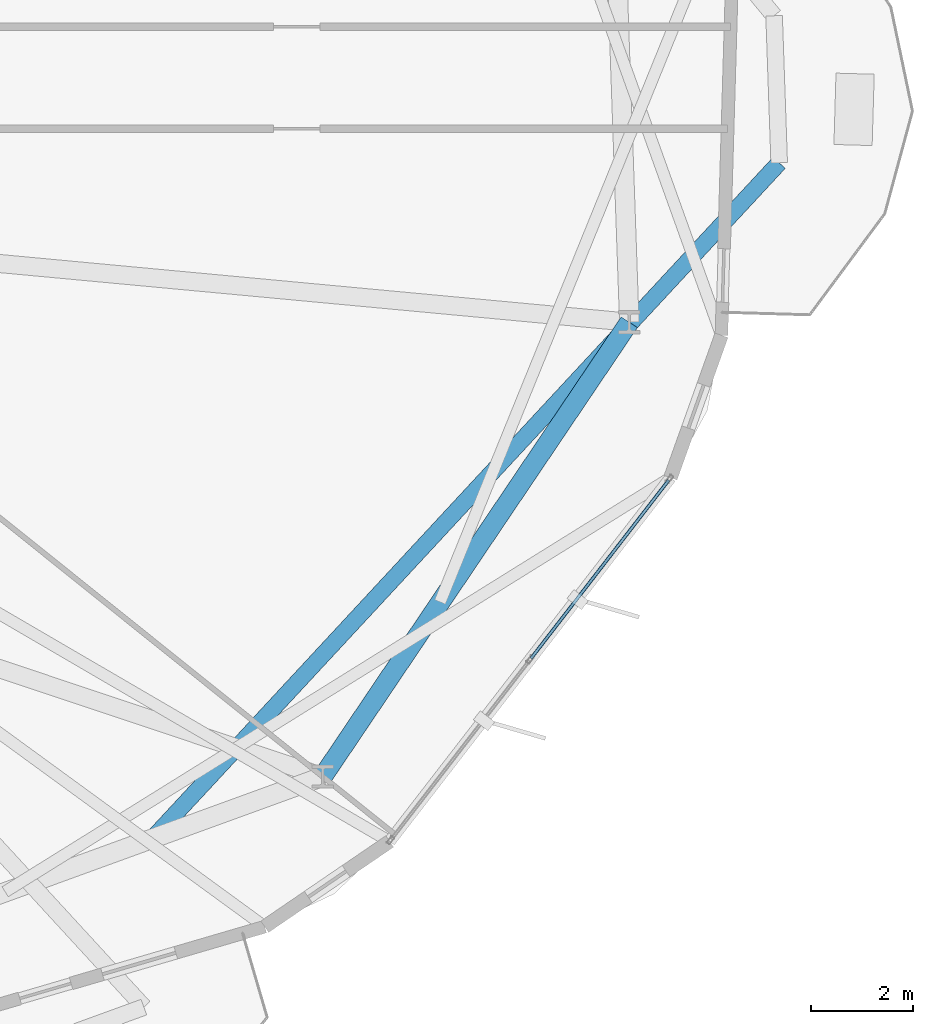
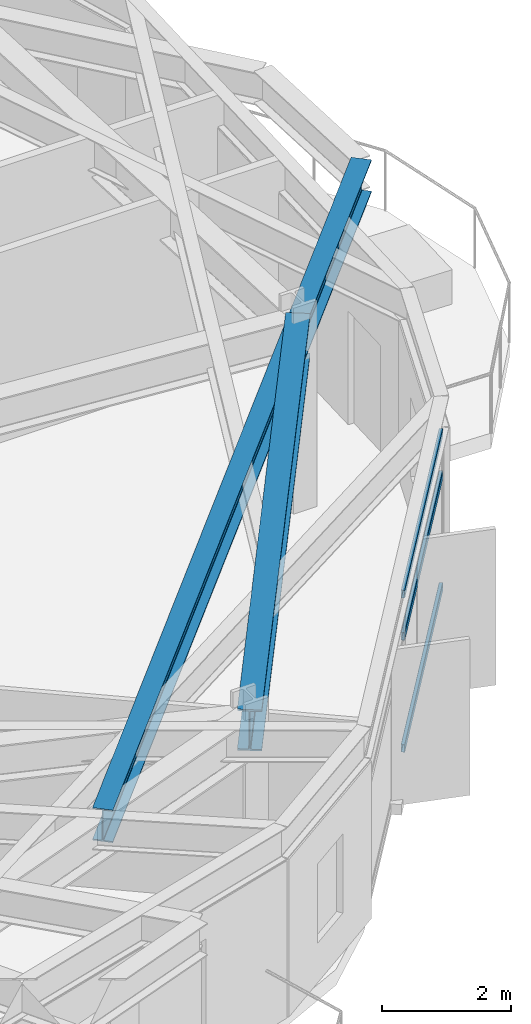
# One storey, part 9 of 24: 3 members, 2 beams, 1 element without a shape of its own.
"""IFC4 building model written with IfcOpenShell, lengths in metres."""

import ifcopenshell
import ifcopenshell.guid

model = None  # the IFC model being written
_history = None  # IfcOwnerHistory: only IFC2X3 demands one
_inside = {}  # id of a spatial element -> (the spatial element, [elements in it])
_under = {}  # id of a project, library or spatial element -> (it, [spatial elements below it])
_declared = {}  # id of a project -> (the project, [libraries it declares])
_typed = {}  # id of a type object -> (the type object, [elements of that type])
_made_of = {}  # id of a material, layer set ... -> (it, [elements and type objects made of it])


def new_model(schema):
    """Start an empty IFC model of exactly this schema.

    Asked for "IFC4X3", IfcOpenShell would pick the latest addendum, in which some entities
    have other attributes; the version numbers below select the first issue.
    IFC2X3 requires an IfcOwnerHistory on every rooted entity: one is made here for all.
    """
    global model, _history
    if schema == "IFC4X3":
        model = ifcopenshell.file(schema_version=(4, 3, 0, 0))
    else:
        model = ifcopenshell.file(schema=schema)
    _inside.clear()
    _under.clear()
    _declared.clear()
    _typed.clear()
    _made_of.clear()
    _history = None
    if model.schema == "IFC2X3":
        org = make("IfcOrganization", Name="unknown")
        user = make(
            "IfcPersonAndOrganization",
            ThePerson=make("IfcPerson", FamilyName="unknown"),
            TheOrganization=org,
        )
        app = make(
            "IfcApplication",
            ApplicationDeveloper=org,
            Version="unknown",
            ApplicationFullName="unknown",
            ApplicationIdentifier="unknown",
        )
        _history = make(
            "IfcOwnerHistory",
            OwningUser=user,
            OwningApplication=app,
            ChangeAction="ADDED",
            CreationDate=0,
        )
    return model


def make(cls, **values):
    """One entity of the class cls with the attributes given. An attribute that is None is left unset."""
    return model.create_entity(
        cls, **{name: value for name, value in values.items() if value is not None}
    )


def rooted(cls, **values):
    """An entity with a GlobalId (a new one), such as an element, a storey or a relation."""
    return make(cls, GlobalId=ifcopenshell.guid.new(), OwnerHistory=_history, **values)


def si_unit(unit_type, name, prefix=None):
    """IfcSIUnit, for example si_unit("LENGTHUNIT", "METRE", prefix="MILLI")."""
    return make("IfcSIUnit", UnitType=unit_type, Prefix=prefix, Name=name)


def assignment(units):
    """IfcUnitAssignment: the units of a project."""
    return None if units is None else make("IfcUnitAssignment", Units=units)


def point(xyz):
    """IfcCartesianPoint."""
    return None if xyz is None else make("IfcCartesianPoint", Coordinates=xyz)


def direction(xyz):
    """IfcDirection."""
    return None if xyz is None else make("IfcDirection", DirectionRatios=xyz)


def frame(location, z_axis=None, x_axis=None):
    """IfcAxis2Placement3D, a coordinate frame: its origin and axes. An axis left out is left unset."""
    return make(
        "IfcAxis2Placement3D",
        Location=point(location),
        Axis=direction(z_axis),
        RefDirection=direction(x_axis),
    )


def frame_2d(location, x_axis=None):
    """IfcAxis2Placement2D, a coordinate frame in the plane: its origin and x axis."""
    return make(
        "IfcAxis2Placement2D", Location=point(location), RefDirection=direction(x_axis)
    )


def origin():
    """The frame at (0, 0, 0) with its axes left unset."""
    return frame((0.0, 0.0, 0.0))


def origin_2d():
    """The frame at (0, 0) in the plane with its x axis left unset."""
    return frame_2d((0.0, 0.0))


def place(relative_to, where):
    """IfcLocalPlacement: puts the frame where relative to a parent placement (None: the world)."""
    return make(
        "IfcLocalPlacement", PlacementRelTo=relative_to, RelativePlacement=where
    )


def context(
    kind, dimensions, precision=None, world=None, true_north=None, identifier=None
):
    """IfcGeometricRepresentationContext, for example the 3D "Model" context."""
    return make(
        "IfcGeometricRepresentationContext",
        ContextIdentifier=identifier,
        ContextType=kind,
        CoordinateSpaceDimension=dimensions,
        Precision=precision,
        WorldCoordinateSystem=world,
        TrueNorth=true_north,
    )


def subcontext(parent, identifier, kind, view, scale=None):
    """IfcGeometricRepresentationSubContext, for example "Body" below "Model"."""
    return make(
        "IfcGeometricRepresentationSubContext",
        ContextIdentifier=identifier,
        ContextType=kind,
        ParentContext=parent,
        TargetScale=scale,
        TargetView=view,
    )


def project(units=None, contexts=None):
    """IfcProject with its units and contexts."""
    return rooted(
        "IfcProject",
        Name="project",
        RepresentationContexts=contexts,
        UnitsInContext=assignment(units),
    )


def spatial(cls, under=None, at=None, **own):
    """A site, building, storey or space (cls), placed at a placement, below another one or the project."""
    s = rooted(cls, ObjectPlacement=at, **own)
    if under is not None:
        _under.setdefault(under.id(), (under, []))[1].append(s)
    return s


def profile(cls, at=None, kind="AREA", **sizes):
    """A parametric profile (cls). Its sizes go by their IFC names, for example OverallWidth=200.0."""
    return make(cls, ProfileType=kind, Position=at, **sizes)


def hollow_rectangle(**sizes):
    """IfcRectangleHollowProfileDef."""
    return profile("IfcRectangleHollowProfileDef", **sizes)


def i_section(**sizes):
    """IfcIShapeProfileDef."""
    return profile("IfcIShapeProfileDef", **sizes)


def extrude(swept, where, along, depth):
    """IfcExtrudedAreaSolid: the profile swept, set in the frame where, extruded along a direction by depth."""
    return make(
        "IfcExtrudedAreaSolid",
        SweptArea=swept,
        Position=where,
        ExtrudedDirection=direction(along),
        Depth=depth,
    )


def shape(context_of_items, identifier, shape_type, items):
    """IfcShapeRepresentation: the items that make up one representation, for example the "Body"."""
    return make(
        "IfcShapeRepresentation",
        ContextOfItems=context_of_items,
        RepresentationIdentifier=identifier,
        RepresentationType=shape_type,
        Items=items,
    )


def material(Name=None, Category=None):
    """IfcMaterial."""
    return make("IfcMaterial", Name=Name, Category=Category)


def layer(
    of_material, thickness, ventilated=None, Name=None, Category=None, Priority=None
):
    """IfcMaterialLayer: one layer of a wall or slab, of a material (None: an air gap)."""
    return make(
        "IfcMaterialLayer",
        Material=of_material,
        LayerThickness=thickness,
        IsVentilated=ventilated,
        Name=Name,
        Category=Category,
        Priority=Priority,
    )


def layer_set(layers, Name=None):
    """IfcMaterialLayerSet."""
    return make("IfcMaterialLayerSet", MaterialLayers=layers, LayerSetName=Name)


def material_profile(
    of_material, cross_section, Name=None, Category=None, Priority=None
):
    """IfcMaterialProfile: a cross section and its material."""
    return make(
        "IfcMaterialProfile",
        Name=Name,
        Material=of_material,
        Profile=cross_section,
        Priority=Priority,
        Category=Category,
    )


def profile_set(profiles, Name=None, composite=None):
    """IfcMaterialProfileSet."""
    return make(
        "IfcMaterialProfileSet",
        Name=Name,
        MaterialProfiles=profiles,
        CompositeProfile=composite,
    )


def made_of(thing, what):
    """Note that an element or type object is made of a material, layer set ...; save() writes the relation."""
    if what is not None:
        _made_of.setdefault(what.id(), (what, []))[1].append(thing)
    return thing


def type_object(cls, material=None, **own):
    """A type object (cls), such as IfcWallType, which elements share."""
    return made_of(rooted(cls, **own), material)


def element(
    cls,
    number,
    at=None,
    inside=None,
    cuts=None,
    type_object=None,
    material=None,
    context=None,
    identifier="Body",
    shape_type=None,
    held_by="IfcProductDefinitionShape",
    body=None,
    shapes=None,
    **own,
):
    """One element of the class cls, such as IfcWall. Its Tag is "e" and its number.

    at: its placement. inside: the storey or other place that contains it. cuts: it is an
    opening in that element (IfcRelVoidsElement). A single representation is given by context,
    identifier, shape_type and body (its items); several are given by shapes. held_by: the class
    of the entity that holds the representations. save() writes the other relations.
    """
    e = rooted(cls, Tag="e%d" % number, ObjectPlacement=at, **own)
    if body is not None:
        shapes = [shape(context, identifier, shape_type, body)]
    if shapes is not None:
        e.Representation = make(held_by, Representations=shapes)
    if inside is not None:
        _inside.setdefault(inside.id(), (inside, []))[1].append(e)
    if cuts is not None:
        rooted(
            "IfcRelVoidsElement", RelatingBuildingElement=cuts, RelatedOpeningElement=e
        )
    if type_object is not None:
        _typed.setdefault(type_object.id(), (type_object, []))[1].append(e)
    return made_of(e, material)


def aggregate(whole, parts):
    """IfcRelAggregates: a whole, such as a stair, and the parts it consists of."""
    return rooted("IfcRelAggregates", RelatingObject=whole, RelatedObjects=parts)


def save(model, path):
    """Write the relations noted so far, then the file.

    IfcRelAggregates (storeys below a building ...), IfcRelContainedInSpatialStructure (elements
    in a storey), IfcRelDefinesByType, IfcRelAssociatesMaterial and IfcRelDeclares: one each for
    every whole, place, type object, material and project.
    """
    for whole, parts in _under.values():
        aggregate(whole, parts)
    for where, things in _inside.values():
        rooted(
            "IfcRelContainedInSpatialStructure",
            RelatedElements=things,
            RelatingStructure=where,
        )
    for kind, things in _typed.values():
        rooted("IfcRelDefinesByType", RelatedObjects=things, RelatingType=kind)
    for what, things in _made_of.values():
        rooted("IfcRelAssociatesMaterial", RelatedObjects=things, RelatingMaterial=what)
    for by, libraries in _declared.values():
        rooted("IfcRelDeclares", RelatingContext=by, RelatedDefinitions=libraries)
    model.write(path)


model = new_model("IFC4")

# Units and contexts
model_context = context("Model", 3, precision=1e-05, world=origin(), true_north=direction((0.0, 1.0)))
body_context = subcontext(model_context, "Body", "Model", "MODEL_VIEW")
ifc_project = project(units=[si_unit("LENGTHUNIT", "METRE"), si_unit("AREAUNIT", "SQUARE_METRE"), si_unit("VOLUMEUNIT", "CUBIC_METRE"), si_unit("PLANEANGLEUNIT", "RADIAN"), si_unit("MASSUNIT", "GRAM", prefix="KILO")], contexts=[model_context])

# Site, building, storey
site_placement = place(None, origin())
site = spatial("IfcSite", under=ifc_project, at=site_placement, CompositionType="ELEMENT")
building_placement = place(site_placement, origin())
building = spatial("IfcBuilding", under=site, at=building_placement, Name="Soratama Intermodal Tower", CompositionType="ELEMENT")
storey_placement = place(building_placement, frame((0.0, 0.0, 91.300048828125)))
storey = spatial("IfcBuildingStorey", under=building, at=storey_placement, Name="L21", CompositionType="ELEMENT", Elevation=91.300048828125)

# Beams
ifc_material_1 = material(Name="Structural steel ASTM A992 Grade 50", Category="steel")
ifc_material_profile_1 = material_profile(ifc_material_1, i_section(OverallWidth=0.324951171875, OverallDepth=0.615966796875, WebThickness=0.013916015625, FlangeThickness=0.021484375, FilletRadius=0.013916015625, at=origin_2d()), Name="W24X117")
ifc_profile_set_1 = profile_set([ifc_material_profile_1], Name="Structural steel ASTM A992 Grade 50")
beam_type_1 = type_object("IfcBeamType", Name="BM-CANT-W24X117", PredefinedType="BEAM", material=ifc_profile_set_1)
beam_1_placement = place(storey_placement, frame((52.39404296875, 10.10009765625, 3.2919921875), z_axis=(0.680039007579, 0.733175932619, 0.0), x_axis=(-0.733175932619, 0.680039007579, 0.0)))
element("IfcBeam", 1, at=beam_1_placement, inside=storey, type_object=beam_type_1, Name="BM-L21-CANT-1-1", PredefinedType="BEAM", context=body_context, shape_type="SweptSolid", body=[
    extrude(i_section(OverallWidth=0.324951171875, OverallDepth=0.615966796875, WebThickness=0.013916015625, FlangeThickness=0.021484375, FilletRadius=0.013916015625, at=origin_2d()), origin(), (0.0, 0.0, 1.0), 18.04736328125),
])
ifc_material_2 = material(Name="Structural steel ASTM A992 Grade 50", Category="steel")
ifc_material_profile_2 = material_profile(ifc_material_2, i_section(OverallWidth=0.382080078125, OverallDepth=0.779052734375, WebThickness=0.01806640625, FlangeThickness=0.030029296875, FilletRadius=0.01806640625, at=origin_2d()), Name="W30X191")
ifc_profile_set_2 = profile_set([ifc_material_profile_2], Name="Structural steel ASTM A992 Grade 50")
beam_type_2 = type_object("IfcBeamType", Name="BM-RING-W30X191", PredefinedType="BEAM", material=ifc_profile_set_2)
beam_2_placement = place(storey_placement, frame((55.7119140625, 11.2890625, 3.21044921875), z_axis=(0.559249807749, 0.828999187293, 0.0), x_axis=(-0.828999187293, 0.559249807749, 0.0)))
element("IfcBeam", 2, at=beam_2_placement, inside=storey, type_object=beam_type_2, Name="BM-L21-RING-09", PredefinedType="BEAM", context=body_context, shape_type="SweptSolid", body=[
    extrude(i_section(OverallWidth=0.382080078125, OverallDepth=0.779052734375, WebThickness=0.01806640625, FlangeThickness=0.030029296875, FilletRadius=0.01806640625, at=origin_2d()), origin(), (0.0, 0.0, 1.0), 10.75390625),
])

# Curtain wall, members
ifc_material_3 = material(Name="Double-glazed aluminium curtain wall", Category="aluminium")
ifc_layer = layer(ifc_material_3, 0.159912109375)
ifc_layer_set = layer_set([ifc_layer], Name="Double-glazed aluminium curtain wall")
curtain_wall_type = type_object("IfcCurtainWallType", Name="CW-SYS-3", PredefinedType="NOTDEFINED", material=ifc_layer_set)
curtain_wall_placement = place(storey_placement, origin())
curtain_wall = element("IfcCurtainWall", 3, at=curtain_wall_placement, inside=storey, type_object=curtain_wall_type, Name="L21 Faceted Curtain Wall F09", PredefinedType="NOTDEFINED")
ifc_material_4 = material(Name="Anodised aluminium AA 6063-T6", Category="aluminium")
ifc_material_profile_3 = material_profile(ifc_material_4, hollow_rectangle(XDim=0.06494140625, YDim=0.14990234375, WallThickness=0.0048828125, InnerFilletRadius=0.0048828125, OuterFilletRadius=0.010009765625, at=origin_2d()), Name="CWT150X65X5")
ifc_profile_set_3 = profile_set([ifc_material_profile_3], Name="Anodised aluminium AA 6063-T6")
member_type = type_object("IfcMemberType", Name="TT-CWT-1", PredefinedType="USERDEFINED", material=ifc_profile_set_3)
member_1_placement = place(storey_placement, frame((59.798828125, 13.6083984375, 0.030029296875), z_axis=(0.611247757471, 0.791439308467, 0.0), x_axis=(-0.791439308467, 0.611247757471, 0.0)))
member_1 = element("IfcMember", 4, at=member_1_placement, type_object=member_type, Name="CW-3 transom 2.1", ObjectType="TRANSOM", PredefinedType="USERDEFINED", context=body_context, shape_type="SweptSolid", body=[
    extrude(hollow_rectangle(XDim=0.06494140625, YDim=0.14990234375, WallThickness=0.0048828125, InnerFilletRadius=0.0048828125, OuterFilletRadius=0.010009765625, at=origin_2d()), origin(), (0.0, 0.0, 1.0), 4.418212890625),
])
member_2_placement = place(storey_placement, frame((59.798828125, 13.6083984375, 2.14990234375), z_axis=(0.611247757471, 0.791439308467, 0.0), x_axis=(-0.791439308467, 0.611247757471, 0.0)))
member_2 = element("IfcMember", 5, at=member_2_placement, type_object=member_type, Name="CW-3 transom 2.2", ObjectType="TRANSOM", PredefinedType="USERDEFINED", context=body_context, shape_type="SweptSolid", body=[
    extrude(hollow_rectangle(XDim=0.06494140625, YDim=0.14990234375, WallThickness=0.0048828125, InnerFilletRadius=0.0048828125, OuterFilletRadius=0.010009765625, at=origin_2d()), origin(), (0.0, 0.0, 1.0), 4.418212890625),
])
member_3_placement = place(storey_placement, frame((59.798828125, 13.6083984375, 2.948974609375), z_axis=(0.611247757471, 0.791439308467, 0.0), x_axis=(-0.791439308467, 0.611247757471, 0.0)))
member_3 = element("IfcMember", 6, at=member_3_placement, type_object=member_type, Name="CW-3 transom 2.3", ObjectType="TRANSOM", PredefinedType="USERDEFINED", context=body_context, shape_type="SweptSolid", body=[
    extrude(hollow_rectangle(XDim=0.06494140625, YDim=0.14990234375, WallThickness=0.0048828125, InnerFilletRadius=0.0048828125, OuterFilletRadius=0.010009765625, at=origin_2d()), origin(), (0.0, 0.0, 1.0), 4.418212890625),
])
aggregate(curtain_wall, [member_1, member_2, member_3])

save(model, "model.ifc")
